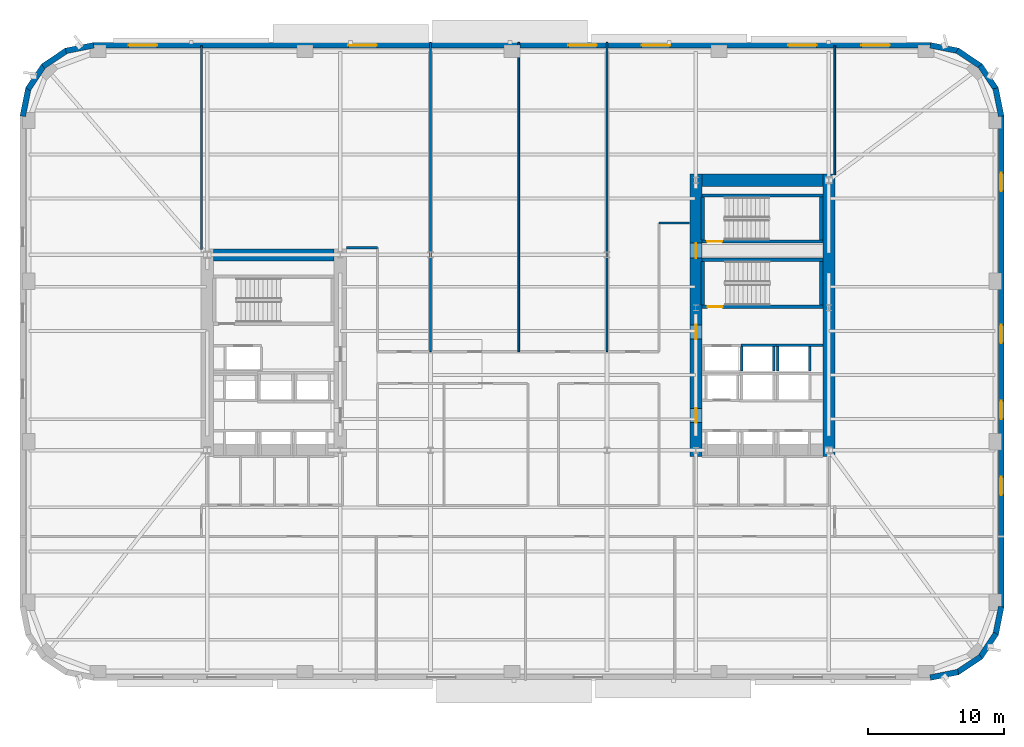
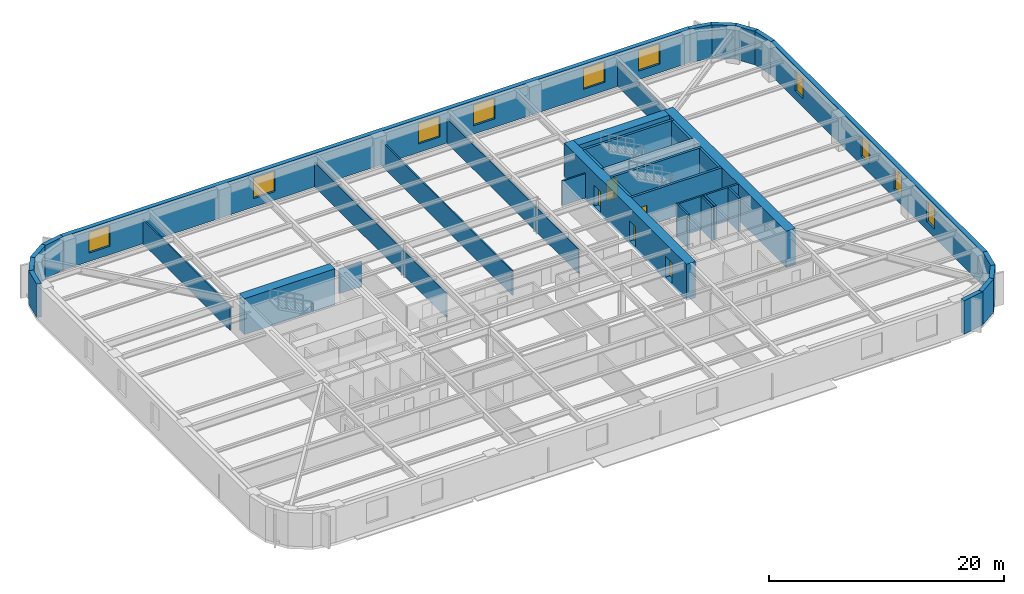
# One storey, part 7 of 15: 39 walls, 10 windows, 5 doors, 15 openings.
"""IFC4 building model written with IfcOpenShell, lengths in metres."""

from ifc_helpers import new_model, si_unit, direction, frame, frame_2d, origin, place, context, subcontext, project, spatial, rectangle, extrude, material, layer, layer_set, type_object, element, fill, save


model = new_model("IFC4")

# Units and contexts
model_context = context("Model", 3, precision=1e-05, world=origin(), true_north=direction((0.0, 1.0)))
body_context = subcontext(model_context, "Body", "Model", "MODEL_VIEW")
ifc_project = project(units=[si_unit("LENGTHUNIT", "METRE"), si_unit("AREAUNIT", "SQUARE_METRE"), si_unit("VOLUMEUNIT", "CUBIC_METRE"), si_unit("PLANEANGLEUNIT", "RADIAN"), si_unit("MASSUNIT", "GRAM", prefix="KILO")], contexts=[model_context])

# Site, building, storey
site_placement = place(None, origin())
site = spatial("IfcSite", under=ifc_project, at=site_placement, CompositionType="ELEMENT")
building_placement = place(site_placement, origin())
building = spatial("IfcBuilding", under=site, at=building_placement, Name="Kolvaren Arena Tower", CompositionType="ELEMENT")
storey_placement = place(building_placement, frame((0.0, 0.0, 83.25)))
storey = spatial("IfcBuildingStorey", under=building, at=storey_placement, Name="L18", CompositionType="ELEMENT", Elevation=83.25)

# Walls
ifc_material_1 = material(Name="Gypsum board acoustic assembly", Category="gypsum")
ifc_layer_1 = layer(ifc_material_1, 0.159912109375)
ifc_layer_set_1 = layer_set([ifc_layer_1], Name="Gypsum board acoustic assembly")
wall_type_1 = type_object("IfcWallType", Name="CORR-160", PredefinedType="PARTITIONING", material=ifc_layer_set_1)
for number, where, z_axis, x_axis, name in (
    (1, (24.820068359375, 34.3798828125, 0.0), (0.0, 0.0, 1.0), (1.0, 0.0, 0.0), "Interior Partition Wall (L18)"),
    (2, (47.820068359375, 36.199951171875, 0.0), (0.0, 0.0, 1.0), (1.0, 0.0, 0.0), "Interior Partition Wall (L18)"),
):
    element("IfcWall", number, at=place(storey_placement, frame(where, z_axis=z_axis, x_axis=x_axis)), inside=storey, type_object=wall_type_1, Name=name, PredefinedType="PARTITIONING", context=body_context, shape_type="SweptSolid", body=[
        extrude(rectangle(XDim=2.260009765625, YDim=0.159912109375, at=frame_2d((1.1298828125, 0.0))), origin(), (0.0, 0.0, 1.0), 2.5400390625),
    ])
ifc_material_2 = material(Name="Concrete 80 MPa", Category="concrete")
ifc_layer_2 = layer(ifc_material_2, 0.89990234375)
ifc_layer_set_2 = layer_set([ifc_layer_2], Name="Concrete 80 MPa")
wall_type_2 = type_object("IfcWallType", Name="CWALL-900", PredefinedType="SHEAR", material=ifc_layer_set_2)
wall_1_placement = place(storey_placement, frame((15.0, 33.85009765625, -0.27001953125), z_axis=(0.0, 0.0, 1.0), x_axis=(1.0, 0.0, 0.0)))
element("IfcWall", 3, at=wall_1_placement, inside=storey, type_object=wall_type_2, Name="Core Shear Wall WC-NORTH (L18)", PredefinedType="SHEAR", context=body_context, shape_type="SweptSolid", body=[
    extrude(rectangle(XDim=8.89990234375, YDim=0.89990234375, at=frame_2d((4.449951171875, 0.0))), origin(), (0.0, 0.0, 1.0), 3.75),
])

# Wall, openings, doors
wall_2_placement = place(storey_placement, frame((50.550048828125, 19.0, -0.27001953125), z_axis=(0.0, 0.0, 1.0), x_axis=(0.0, 1.0, 0.0)))
wall_2 = element("IfcWall", 4, at=wall_2_placement, inside=storey, type_object=wall_type_2, Name="Core Shear Wall EC-WEST (L18)", PredefinedType="SHEAR", context=body_context, shape_type="SweptSolid", body=[
    extrude(rectangle(XDim=20.800048828125, YDim=0.89990234375, at=frame_2d((10.39990234375, 0.0))), origin(), (0.0, 0.0, 1.0), 3.75),
])
opening_1_placement = place(wall_2_placement, frame((2.5, 0.0, 0.27001953125)))
opening_1 = element("IfcOpeningElement", 5, at=opening_1_placement, cuts=wall_2, Name="Opening D04", PredefinedType="OPENING", context=body_context, shape_type="SweptSolid", body=[
    extrude(rectangle(XDim=1.050048828125, YDim=2.14990234375, at=frame_2d((0.52490234375, 1.074951171875))), frame((0.0, 0.4599609375, 0.0), z_axis=(0.0, -1.0, 0.0), x_axis=(1.0, 0.0, 0.0)), (0.0, 0.0, 1.0), 0.919921875),
])
opening_2_placement = place(wall_2_placement, frame((8.64990234375, 0.0, 0.27001953125)))
opening_2 = element("IfcOpeningElement", 6, at=opening_2_placement, cuts=wall_2, Name="Opening D04", PredefinedType="OPENING", context=body_context, shape_type="SweptSolid", body=[
    extrude(rectangle(XDim=1.050048828125, YDim=2.14990234375, at=frame_2d((0.52490234375, 1.074951171875))), frame((0.0, 0.4599609375, 0.0), z_axis=(0.0, -1.0, 0.0), x_axis=(1.0, 0.0, 0.0)), (0.0, 0.0, 1.0), 0.919921875),
])
opening_3_placement = place(wall_2_placement, frame((14.6201171875, 0.0, 0.27001953125)))
opening_3 = element("IfcOpeningElement", 7, at=opening_3_placement, cuts=wall_2, Name="Opening D03", PredefinedType="OPENING", context=body_context, shape_type="SweptSolid", body=[
    extrude(rectangle(XDim=1.10009765625, YDim=2.14990234375, at=frame_2d((0.550048828125, 1.074951171875))), frame((0.0, 0.4599609375, 0.0), z_axis=(0.0, -1.0, 0.0), x_axis=(1.0, 0.0, 0.0)), (0.0, 0.0, 1.0), 0.919921875),
])
ifc_material_3 = material(Name="Fire-rated steel lobby door", Category="steel")
door_type_1 = type_object("IfcDoorType", Name="DOOR-FF-105", OperationType="NOTDEFINED", PredefinedType="DOOR", material=ifc_material_3)
door_1_placement = place(opening_1_placement, origin())
door_1 = element("IfcDoor", 8, at=door_1_placement, inside=storey, type_object=door_type_1, Name="East Lift Lobby Fire Door (L18)", OperationType="SINGLE_SWING_RIGHT", OverallHeight=2.14990234375, OverallWidth=1.050048828125, PredefinedType="DOOR", context=body_context, shape_type="SweptSolid", body=[
    extrude(rectangle(XDim=1.050048828125, YDim=2.14990234375, at=frame_2d((0.52490234375, 1.074951171875))), frame((0.0, 0.02490234375, 0.0), z_axis=(0.0, -1.0, 0.0), x_axis=(1.0, 0.0, 0.0)), (0.0, 0.0, 1.0), 0.050048828125),
])
fill(opening_1, door_1)
door_2_placement = place(opening_2_placement, origin())
door_2 = element("IfcDoor", 9, at=door_2_placement, inside=storey, type_object=door_type_1, Name="East Firefighter Vestibule Door (L18)", OperationType="SINGLE_SWING_LEFT", OverallHeight=2.14990234375, OverallWidth=1.050048828125, PredefinedType="DOOR", context=body_context, shape_type="SweptSolid", body=[
    extrude(rectangle(XDim=1.050048828125, YDim=2.14990234375, at=frame_2d((0.52490234375, 1.074951171875))), frame((0.0, 0.02490234375, 0.0), z_axis=(0.0, -1.0, 0.0), x_axis=(1.0, 0.0, 0.0)), (0.0, 0.0, 1.0), 0.050048828125),
])
fill(opening_2, door_2)
ifc_material_4 = material(Name="Fire-rated steel exit stair door", Category="steel")
door_type_2 = type_object("IfcDoorType", Name="DOOR-ST-110", OperationType="NOTDEFINED", PredefinedType="DOOR", material=ifc_material_4)
door_3_placement = place(opening_3_placement, origin())
door_3 = element("IfcDoor", 10, at=door_3_placement, inside=storey, type_object=door_type_2, Name="Stair ST-E2 Vestibule Fire Door (L18)", OperationType="SINGLE_SWING_LEFT", OverallHeight=2.14990234375, OverallWidth=1.10009765625, PredefinedType="DOOR", context=body_context, shape_type="SweptSolid", body=[
    extrude(rectangle(XDim=1.10009765625, YDim=2.14990234375, at=frame_2d((0.550048828125, 1.074951171875))), frame((0.0, 0.02490234375, 0.0), z_axis=(0.0, -1.0, 0.0), x_axis=(1.0, 0.0, 0.0)), (0.0, 0.0, 1.0), 0.050048828125),
])
fill(opening_3, door_3)

# Walls
wall_3_placement = place(storey_placement, frame((60.35009765625, 19.0, -0.27001953125), z_axis=(0.0, 0.0, 1.0), x_axis=(0.0, 1.0, 0.0)))
element("IfcWall", 11, at=wall_3_placement, inside=storey, type_object=wall_type_2, Name="Core Shear Wall EC-EAST (L18)", PredefinedType="SHEAR", context=body_context, shape_type="SweptSolid", body=[
    extrude(rectangle(XDim=20.800048828125, YDim=0.89990234375, at=frame_2d((10.39990234375, 0.0))), origin(), (0.0, 0.0, 1.0), 3.75),
])
wall_4_placement = place(storey_placement, frame((51.0, 39.35009765625, -0.27001953125), z_axis=(0.0, 0.0, 1.0), x_axis=(1.0, 0.0, 0.0)))
element("IfcWall", 12, at=wall_4_placement, inside=storey, type_object=wall_type_2, Name="Core Shear Wall EC-NORTH (L18)", PredefinedType="SHEAR", context=body_context, shape_type="SweptSolid", body=[
    extrude(rectangle(XDim=8.89990234375, YDim=0.89990234375, at=frame_2d((4.449951171875, 0.0))), origin(), (0.0, 0.0, 1.0), 3.75),
])
ifc_material_5 = material(Name="Precast concrete C50/60", Category="concrete")
ifc_layer_3 = layer(ifc_material_5, 0.419921875)
ifc_layer_set_3 = layer_set([ifc_layer_3], Name="Precast concrete C50/60")
wall_type_3 = type_object("IfcWallType", Name="EXT-PIER1", PredefinedType="SOLIDWALL", material=ifc_layer_set_3)
for number, where, z_axis, x_axis, name in (
    (13, (69.87548828125, 3.1171875, 0.0), (0.0, 0.0, 1.0), (-0.9807762837, -0.195135546048, 0.0), "Exterior Precast Masonry-Frame Wall (L18)"),
    (14, (71.5517578125, 4.256103515625, 0.0), (0.0, 0.0, 1.0), (-0.831515102434, -0.555502146192, 0.0), "Exterior Precast Masonry-Frame Wall (L18)"),
    (15, (72.664306640625, 5.9501953125, 0.0), (0.0, 0.0, 1.0), (-0.555502146192, -0.831515102434, 0.0), "Exterior Precast Masonry-Frame Wall (L18)"),
    (16, (73.0439453125, 7.94091796875, 0.0), (0.0, 0.0, 1.0), (-0.195135546048, -0.9807762837, 0.0), "Exterior Precast Masonry-Frame Wall (L18)"),
):
    element("IfcWall", number, at=place(storey_placement, frame(where, z_axis=z_axis, x_axis=x_axis)), inside=storey, type_object=wall_type_3, Name=name, PredefinedType="SOLIDWALL", context=body_context, shape_type="SweptSolid", body=[
        extrude(rectangle(XDim=2.10693359375, YDim=0.419921875, at=frame_2d((1.053466796875, 0.0))), origin(), (0.0, 0.0, 1.0), 3.47998046875),
    ])

# Wall, openings, windows
wall_5_placement = place(storey_placement, frame((73.0400390625, 44.10009765625, 0.0), z_axis=(0.0, 0.0, 1.0), x_axis=(0.0, -1.0, 0.0)))
wall_5 = element("IfcWall", 17, at=wall_5_placement, inside=storey, type_object=wall_type_3, Name="Exterior Precast Masonry-Frame Wall (L18)", PredefinedType="SOLIDWALL", context=body_context, shape_type="SweptSolid", body=[
    extrude(rectangle(XDim=36.2001953125, YDim=0.419921875, at=frame_2d((18.10009765625, 0.0))), origin(), (0.0, 0.0, 1.0), 3.47998046875),
])
opening_4_placement = place(wall_5_placement, frame((4.199951171875, 0.0, 0.8798828125)))
opening_4 = element("IfcOpeningElement", 18, at=opening_4_placement, cuts=wall_5, Name="Opening W04", PredefinedType="OPENING", context=body_context, shape_type="SweptSolid", body=[
    extrude(rectangle(XDim=1.35009765625, YDim=2.199951171875, at=frame_2d((0.675048828125, 1.10009765625))), frame((0.0, 0.219970703125, 0.0), z_axis=(0.0, -1.0, 0.0), x_axis=(1.0, 0.0, 0.0)), (0.0, 0.0, 1.0), 0.43994140625),
])
opening_5_placement = place(wall_5_placement, frame((15.39990234375, 0.0, 0.8798828125)))
opening_5 = element("IfcOpeningElement", 19, at=opening_5_placement, cuts=wall_5, Name="Opening W04", PredefinedType="OPENING", context=body_context, shape_type="SweptSolid", body=[
    extrude(rectangle(XDim=1.35009765625, YDim=2.199951171875, at=frame_2d((0.675048828125, 1.10009765625))), frame((0.0, 0.219970703125, 0.0), z_axis=(0.0, -1.0, 0.0), x_axis=(1.0, 0.0, 0.0)), (0.0, 0.0, 1.0), 0.43994140625),
])
opening_6_placement = place(wall_5_placement, frame((21.0, 0.0, 0.8798828125)))
opening_6 = element("IfcOpeningElement", 20, at=opening_6_placement, cuts=wall_5, Name="Opening W04", PredefinedType="OPENING", context=body_context, shape_type="SweptSolid", body=[
    extrude(rectangle(XDim=1.35009765625, YDim=2.199951171875, at=frame_2d((0.675048828125, 1.10009765625))), frame((0.0, 0.219970703125, 0.0), z_axis=(0.0, -1.0, 0.0), x_axis=(1.0, 0.0, 0.0)), (0.0, 0.0, 1.0), 0.43994140625),
])
opening_7_placement = place(wall_5_placement, frame((26.60009765625, 0.0, 0.8798828125)))
opening_7 = element("IfcOpeningElement", 21, at=opening_7_placement, cuts=wall_5, Name="Opening W04", PredefinedType="OPENING", context=body_context, shape_type="SweptSolid", body=[
    extrude(rectangle(XDim=1.35009765625, YDim=2.199951171875, at=frame_2d((0.675048828125, 1.10009765625))), frame((0.0, 0.219970703125, 0.0), z_axis=(0.0, -1.0, 0.0), x_axis=(1.0, 0.0, 0.0)), (0.0, 0.0, 1.0), 0.43994140625),
])
ifc_material_6 = material(Name="Triple-glazed curved-facet corner window", Category="glass")
window_type_1 = type_object("IfcWindowType", Name="WIN-CRN-A", PartitioningType="SINGLE_PANEL", PredefinedType="WINDOW", material=ifc_material_6)
window_1_placement = place(opening_4_placement, origin())
window_1 = element("IfcWindow", 22, at=window_1_placement, inside=storey, type_object=window_type_1, Name="End-Wall Punched Window (L18)", OverallHeight=2.199951171875, OverallWidth=1.35009765625, PartitioningType="SINGLE_PANEL", PredefinedType="WINDOW", context=body_context, shape_type="SweptSolid", body=[
    extrude(rectangle(XDim=1.35009765625, YDim=2.199951171875, at=frame_2d((0.675048828125, 1.10009765625))), frame((0.0, 0.030029296875, 0.0), z_axis=(0.0, -1.0, 0.0), x_axis=(1.0, 0.0, 0.0)), (0.0, 0.0, 1.0), 0.06005859375),
])
fill(opening_4, window_1)
window_2_placement = place(opening_5_placement, origin())
window_2 = element("IfcWindow", 23, at=window_2_placement, inside=storey, type_object=window_type_1, Name="End-Wall Punched Window (L18)", OverallHeight=2.199951171875, OverallWidth=1.35009765625, PartitioningType="SINGLE_PANEL", PredefinedType="WINDOW", context=body_context, shape_type="SweptSolid", body=[
    extrude(rectangle(XDim=1.35009765625, YDim=2.199951171875, at=frame_2d((0.675048828125, 1.10009765625))), frame((0.0, 0.030029296875, 0.0), z_axis=(0.0, -1.0, 0.0), x_axis=(1.0, 0.0, 0.0)), (0.0, 0.0, 1.0), 0.06005859375),
])
fill(opening_5, window_2)
window_3_placement = place(opening_6_placement, origin())
window_3 = element("IfcWindow", 24, at=window_3_placement, inside=storey, type_object=window_type_1, Name="End-Wall Punched Window (L18)", OverallHeight=2.199951171875, OverallWidth=1.35009765625, PartitioningType="SINGLE_PANEL", PredefinedType="WINDOW", context=body_context, shape_type="SweptSolid", body=[
    extrude(rectangle(XDim=1.35009765625, YDim=2.199951171875, at=frame_2d((0.675048828125, 1.10009765625))), frame((0.0, 0.030029296875, 0.0), z_axis=(0.0, -1.0, 0.0), x_axis=(1.0, 0.0, 0.0)), (0.0, 0.0, 1.0), 0.06005859375),
])
fill(opening_6, window_3)
window_4_placement = place(opening_7_placement, origin())
window_4 = element("IfcWindow", 25, at=window_4_placement, inside=storey, type_object=window_type_1, Name="End-Wall Punched Window (L18)", OverallHeight=2.199951171875, OverallWidth=1.35009765625, PartitioningType="SINGLE_PANEL", PredefinedType="WINDOW", context=body_context, shape_type="SweptSolid", body=[
    extrude(rectangle(XDim=1.35009765625, YDim=2.199951171875, at=frame_2d((0.675048828125, 1.10009765625))), frame((0.0, 0.030029296875, 0.0), z_axis=(0.0, -1.0, 0.0), x_axis=(1.0, 0.0, 0.0)), (0.0, 0.0, 1.0), 0.06005859375),
])
fill(opening_7, window_4)

# Walls
for number, where, z_axis, x_axis, name in (
    (26, (72.6328125, 46.12548828125, 0.0), (0.0, 0.0, 1.0), (0.195135546048, -0.9807762837, 0.0), "Exterior Precast Masonry-Frame Wall (L18)"),
    (27, (71.493896484375, 47.8017578125, 0.0), (0.0, 0.0, 1.0), (0.555502146192, -0.831515102434, 0.0), "Exterior Precast Masonry-Frame Wall (L18)"),
    (28, (69.7998046875, 48.914306640625, 0.0), (0.0, 0.0, 1.0), (0.831515102434, -0.555502146192, 0.0), "Exterior Precast Masonry-Frame Wall (L18)"),
    (29, (67.80908203125, 49.2939453125, 0.0), (0.0, 0.0, 1.0), (0.9807762837, -0.195135546048, 0.0), "Exterior Precast Masonry-Frame Wall (L18)"),
):
    element("IfcWall", number, at=place(storey_placement, frame(where, z_axis=z_axis, x_axis=x_axis)), inside=storey, type_object=wall_type_3, Name=name, PredefinedType="SOLIDWALL", context=body_context, shape_type="SweptSolid", body=[
        extrude(rectangle(XDim=2.10693359375, YDim=0.419921875, at=frame_2d((1.053466796875, 0.0))), origin(), (0.0, 0.0, 1.0), 3.47998046875),
    ])

# Wall, openings, windows
wall_6_placement = place(storey_placement, frame((6.14990234375, 49.2900390625, 0.0), z_axis=(0.0, 0.0, 1.0), x_axis=(1.0, 0.0, 0.0)))
wall_6 = element("IfcWall", 30, at=wall_6_placement, inside=storey, type_object=wall_type_3, Name="Exterior Precast Masonry-Frame Wall (L18)", PredefinedType="SOLIDWALL", context=body_context, shape_type="SweptSolid", body=[
    extrude(rectangle(XDim=61.7001953125, YDim=0.419921875, at=frame_2d((30.85009765625, 0.0))), origin(), (0.0, 0.0, 1.0), 3.47998046875),
])
opening_8_placement = place(wall_6_placement, frame((2.60009765625, 0.0, 0.8798828125)))
opening_8 = element("IfcOpeningElement", 31, at=opening_8_placement, cuts=wall_6, Name="Opening W01", PredefinedType="OPENING", context=body_context, shape_type="SweptSolid", body=[
    extrude(rectangle(XDim=2.10009765625, YDim=2.14990234375, at=frame_2d((1.050048828125, 1.074951171875))), frame((0.0, 0.219970703125, 0.0), z_axis=(0.0, -1.0, 0.0), x_axis=(1.0, 0.0, 0.0)), (0.0, 0.0, 1.0), 0.43994140625),
])
opening_9_placement = place(wall_6_placement, frame((18.800048828125, 0.0, 0.8798828125)))
opening_9 = element("IfcOpeningElement", 32, at=opening_9_placement, cuts=wall_6, Name="Opening W01", PredefinedType="OPENING", context=body_context, shape_type="SweptSolid", body=[
    extrude(rectangle(XDim=2.10009765625, YDim=2.14990234375, at=frame_2d((1.050048828125, 1.074951171875))), frame((0.0, 0.219970703125, 0.0), z_axis=(0.0, -1.0, 0.0), x_axis=(1.0, 0.0, 0.0)), (0.0, 0.0, 1.0), 0.43994140625),
])
opening_10_placement = place(wall_6_placement, frame((35.0, 0.0, 0.8798828125)))
opening_10 = element("IfcOpeningElement", 33, at=opening_10_placement, cuts=wall_6, Name="Opening W01", PredefinedType="OPENING", context=body_context, shape_type="SweptSolid", body=[
    extrude(rectangle(XDim=2.10009765625, YDim=2.14990234375, at=frame_2d((1.050048828125, 1.074951171875))), frame((0.0, 0.219970703125, 0.0), z_axis=(0.0, -1.0, 0.0), x_axis=(1.0, 0.0, 0.0)), (0.0, 0.0, 1.0), 0.43994140625),
])
opening_11_placement = place(wall_6_placement, frame((40.39990234375, 0.0, 0.8798828125)))
opening_11 = element("IfcOpeningElement", 34, at=opening_11_placement, cuts=wall_6, Name="Opening W01", PredefinedType="OPENING", context=body_context, shape_type="SweptSolid", body=[
    extrude(rectangle(XDim=2.10009765625, YDim=2.14990234375, at=frame_2d((1.050048828125, 1.074951171875))), frame((0.0, 0.219970703125, 0.0), z_axis=(0.0, -1.0, 0.0), x_axis=(1.0, 0.0, 0.0)), (0.0, 0.0, 1.0), 0.43994140625),
])
opening_12_placement = place(wall_6_placement, frame((51.199951171875, 0.0, 0.8798828125)))
opening_12 = element("IfcOpeningElement", 35, at=opening_12_placement, cuts=wall_6, Name="Opening W01", PredefinedType="OPENING", context=body_context, shape_type="SweptSolid", body=[
    extrude(rectangle(XDim=2.10009765625, YDim=2.14990234375, at=frame_2d((1.050048828125, 1.074951171875))), frame((0.0, 0.219970703125, 0.0), z_axis=(0.0, -1.0, 0.0), x_axis=(1.0, 0.0, 0.0)), (0.0, 0.0, 1.0), 0.43994140625),
])
opening_13_placement = place(wall_6_placement, frame((56.60009765625, 0.0, 0.8798828125)))
opening_13 = element("IfcOpeningElement", 36, at=opening_13_placement, cuts=wall_6, Name="Opening W01", PredefinedType="OPENING", context=body_context, shape_type="SweptSolid", body=[
    extrude(rectangle(XDim=2.10009765625, YDim=2.14990234375, at=frame_2d((1.050048828125, 1.074951171875))), frame((0.0, 0.219970703125, 0.0), z_axis=(0.0, -1.0, 0.0), x_axis=(1.0, 0.0, 0.0)), (0.0, 0.0, 1.0), 0.43994140625),
])
ifc_material_7 = material(Name="Triple-glazed low-E aluminium window", Category="aluminium")
window_type_2 = type_object("IfcWindowType", Name="WIN-OFF-A", PartitioningType="DOUBLE_PANEL_VERTICAL", PredefinedType="WINDOW", material=ifc_material_7)
window_5_placement = place(opening_8_placement, origin())
window_5 = element("IfcWindow", 37, at=window_5_placement, inside=storey, type_object=window_type_2, Name="Punched Precast-Pier Window (L18)", OverallHeight=2.14990234375, OverallWidth=2.10009765625, PartitioningType="DOUBLE_PANEL_VERTICAL", PredefinedType="WINDOW", context=body_context, shape_type="SweptSolid", body=[
    extrude(rectangle(XDim=2.10009765625, YDim=2.14990234375, at=frame_2d((1.050048828125, 1.074951171875))), frame((0.0, 0.030029296875, 0.0), z_axis=(0.0, -1.0, 0.0), x_axis=(1.0, 0.0, 0.0)), (0.0, 0.0, 1.0), 0.06005859375),
])
fill(opening_8, window_5)
window_6_placement = place(opening_9_placement, origin())
window_6 = element("IfcWindow", 38, at=window_6_placement, inside=storey, type_object=window_type_2, Name="Punched Precast-Pier Window (L18)", OverallHeight=2.14990234375, OverallWidth=2.10009765625, PartitioningType="DOUBLE_PANEL_VERTICAL", PredefinedType="WINDOW", context=body_context, shape_type="SweptSolid", body=[
    extrude(rectangle(XDim=2.10009765625, YDim=2.14990234375, at=frame_2d((1.050048828125, 1.074951171875))), frame((0.0, 0.030029296875, 0.0), z_axis=(0.0, -1.0, 0.0), x_axis=(1.0, 0.0, 0.0)), (0.0, 0.0, 1.0), 0.06005859375),
])
fill(opening_9, window_6)
window_7_placement = place(opening_10_placement, origin())
window_7 = element("IfcWindow", 39, at=window_7_placement, inside=storey, type_object=window_type_2, Name="Punched Precast-Pier Window (L18)", OverallHeight=2.14990234375, OverallWidth=2.10009765625, PartitioningType="DOUBLE_PANEL_VERTICAL", PredefinedType="WINDOW", context=body_context, shape_type="SweptSolid", body=[
    extrude(rectangle(XDim=2.10009765625, YDim=2.14990234375, at=frame_2d((1.050048828125, 1.074951171875))), frame((0.0, 0.030029296875, 0.0), z_axis=(0.0, -1.0, 0.0), x_axis=(1.0, 0.0, 0.0)), (0.0, 0.0, 1.0), 0.06005859375),
])
fill(opening_10, window_7)
window_8_placement = place(opening_11_placement, origin())
window_8 = element("IfcWindow", 40, at=window_8_placement, inside=storey, type_object=window_type_2, Name="Punched Precast-Pier Window (L18)", OverallHeight=2.14990234375, OverallWidth=2.10009765625, PartitioningType="DOUBLE_PANEL_VERTICAL", PredefinedType="WINDOW", context=body_context, shape_type="SweptSolid", body=[
    extrude(rectangle(XDim=2.10009765625, YDim=2.14990234375, at=frame_2d((1.050048828125, 1.074951171875))), frame((0.0, 0.030029296875, 0.0), z_axis=(0.0, -1.0, 0.0), x_axis=(1.0, 0.0, 0.0)), (0.0, 0.0, 1.0), 0.06005859375),
])
fill(opening_11, window_8)
window_9_placement = place(opening_12_placement, origin())
window_9 = element("IfcWindow", 41, at=window_9_placement, inside=storey, type_object=window_type_2, Name="Punched Precast-Pier Window (L18)", OverallHeight=2.14990234375, OverallWidth=2.10009765625, PartitioningType="DOUBLE_PANEL_VERTICAL", PredefinedType="WINDOW", context=body_context, shape_type="SweptSolid", body=[
    extrude(rectangle(XDim=2.10009765625, YDim=2.14990234375, at=frame_2d((1.050048828125, 1.074951171875))), frame((0.0, 0.030029296875, 0.0), z_axis=(0.0, -1.0, 0.0), x_axis=(1.0, 0.0, 0.0)), (0.0, 0.0, 1.0), 0.06005859375),
])
fill(opening_12, window_9)
window_10_placement = place(opening_13_placement, origin())
window_10 = element("IfcWindow", 42, at=window_10_placement, inside=storey, type_object=window_type_2, Name="Punched Precast-Pier Window (L18)", OverallHeight=2.14990234375, OverallWidth=2.10009765625, PartitioningType="DOUBLE_PANEL_VERTICAL", PredefinedType="WINDOW", context=body_context, shape_type="SweptSolid", body=[
    extrude(rectangle(XDim=2.10009765625, YDim=2.14990234375, at=frame_2d((1.050048828125, 1.074951171875))), frame((0.0, 0.030029296875, 0.0), z_axis=(0.0, -1.0, 0.0), x_axis=(1.0, 0.0, 0.0)), (0.0, 0.0, 1.0), 0.06005859375),
])
fill(opening_13, window_10)

# Walls
for number, where, z_axis, x_axis, name in (
    (43, (4.12451171875, 48.8828125, 0.0), (0.0, 0.0, 1.0), (0.9807762837, 0.195135546048, 0.0), "Exterior Precast Masonry-Frame Wall (L18)"),
    (44, (2.4482421875, 47.743896484375, 0.0), (0.0, 0.0, 1.0), (0.831515102434, 0.555502146192, 0.0), "Exterior Precast Masonry-Frame Wall (L18)"),
    (45, (1.335693359375, 46.0498046875, 0.0), (0.0, 0.0, 1.0), (0.555502146192, 0.831515102434, 0.0), "Exterior Precast Masonry-Frame Wall (L18)"),
    (46, (0.9560546875, 44.05908203125, 0.0), (0.0, 0.0, 1.0), (0.195135546048, 0.9807762837, 0.0), "Exterior Precast Masonry-Frame Wall (L18)"),
):
    element("IfcWall", number, at=place(storey_placement, frame(where, z_axis=z_axis, x_axis=x_axis)), inside=storey, type_object=wall_type_3, Name=name, PredefinedType="SOLIDWALL", context=body_context, shape_type="SweptSolid", body=[
        extrude(rectangle(XDim=2.10693359375, YDim=0.419921875, at=frame_2d((1.053466796875, 0.0))), origin(), (0.0, 0.0, 1.0), 3.47998046875),
    ])
ifc_material_8 = material(Name="Gypsum board partition assembly", Category="gypsum")
ifc_layer_4 = layer(ifc_material_8, 0.135009765625)
ifc_layer_set_4 = layer_set([ifc_layer_4], Name="Gypsum board partition assembly")
wall_type_4 = type_object("IfcWallType", Name="PART-135", PredefinedType="PARTITIONING", material=ifc_layer_set_4)
for number, where, z_axis, x_axis, name in (
    (47, (31.0, 26.719970703125, 0.0), (0.0, 0.0, 1.0), (0.0, 1.0, 0.0), "Interior Partition Wall (L18)"),
    (48, (37.5, 26.719970703125, 0.0), (0.0, 0.0, 1.0), (0.0, 1.0, 0.0), "Interior Partition Wall (L18)"),
    (49, (44.0, 26.719970703125, 0.0), (0.0, 0.0, 1.0), (0.0, 1.0, 0.0), "Interior Partition Wall (L18)"),
):
    element("IfcWall", number, at=place(storey_placement, frame(where, z_axis=z_axis, x_axis=x_axis)), inside=storey, type_object=wall_type_4, Name=name, PredefinedType="PARTITIONING", context=body_context, shape_type="SweptSolid", body=[
        extrude(rectangle(XDim=22.780029296875, YDim=0.135009765625, at=frame_2d((11.39013671875, 0.0))), origin(), (0.0, 0.0, 1.0), 2.5400390625),
    ])
wall_7_placement = place(storey_placement, frame((14.1201171875, 34.25, 0.0), z_axis=(0.0, 0.0, 1.0), x_axis=(0.0, 1.0, 0.0)))
element("IfcWall", 50, at=wall_7_placement, inside=storey, type_object=wall_type_4, Name="Interior Partition Wall (L18)", PredefinedType="PARTITIONING", context=body_context, shape_type="SweptSolid", body=[
    extrude(rectangle(XDim=15.010009765625, YDim=0.135009765625, at=frame_2d((7.5048828125, 0.0))), origin(), (0.0, 0.0, 1.0), 2.5400390625),
])
wall_8_placement = place(storey_placement, frame((60.780029296875, 39.75, 0.0), z_axis=(0.0, 0.0, 1.0), x_axis=(0.0, 1.0, 0.0)))
element("IfcWall", 51, at=wall_8_placement, inside=storey, type_object=wall_type_4, Name="Interior Partition Wall (L18)", PredefinedType="PARTITIONING", context=body_context, shape_type="SweptSolid", body=[
    extrude(rectangle(XDim=9.510009765625, YDim=0.135009765625, at=frame_2d((4.7548828125, 0.0))), origin(), (0.0, 0.0, 1.0), 2.5400390625),
])

# Wall, opening, door
ifc_material_9 = material(Name="Concrete 45 MPa", Category="concrete")
ifc_layer_5 = layer(ifc_material_9, 0.25)
ifc_layer_set_5 = layer_set([ifc_layer_5], Name="Concrete 45 MPa")
wall_type_5 = type_object("IfcWallType", Name="SHAFT-250", PredefinedType="SOLIDWALL", material=ifc_layer_set_5)
wall_9_placement = place(storey_placement, frame((59.89990234375, 30.030029296875, 0.0), z_axis=(0.0, 0.0, 1.0), x_axis=(-1.0, 0.0, 0.0)))
wall_9 = element("IfcWall", 52, at=wall_9_placement, inside=storey, type_object=wall_type_5, Name="Core Shaft Wall (L18)", PredefinedType="SOLIDWALL", context=body_context, shape_type="SweptSolid", body=[
    extrude(rectangle(XDim=8.89990234375, YDim=0.239990234375, at=frame_2d((4.449951171875, 0.0))), origin(), (0.0, 0.0, 1.0), 3.47998046875),
])
opening_14_placement = place(wall_9_placement, frame((7.3798828125, 0.0, 0.0)))
opening_14 = element("IfcOpeningElement", 53, at=opening_14_placement, cuts=wall_9, Name="Opening D03", PredefinedType="OPENING", context=body_context, shape_type="SweptSolid", body=[
    extrude(rectangle(XDim=1.10009765625, YDim=2.14990234375, at=frame_2d((0.550048828125, 1.074951171875))), frame((0.0, 0.1298828125, 0.0), z_axis=(0.0, -1.0, 0.0), x_axis=(1.0, 0.0, 0.0)), (0.0, 0.0, 1.0), 0.260009765625),
])
door_4_placement = place(opening_14_placement, origin())
door_4 = element("IfcDoor", 54, at=door_4_placement, inside=storey, type_object=door_type_2, Name="Stair ST-E1 Fire Door (L18)", OperationType="SINGLE_SWING_LEFT", OverallHeight=2.14990234375, OverallWidth=1.10009765625, PredefinedType="DOOR", context=body_context, shape_type="SweptSolid", body=[
    extrude(rectangle(XDim=1.10009765625, YDim=2.14990234375, at=frame_2d((0.550048828125, 1.074951171875))), frame((0.0, 0.02490234375, 0.0), z_axis=(0.0, -1.0, 0.0), x_axis=(1.0, 0.0, 0.0)), (0.0, 0.0, 1.0), 0.050048828125),
])
fill(opening_14, door_4)

# Walls
wall_10_placement = place(storey_placement, frame((51.0, 33.5, 0.0), z_axis=(0.0, 0.0, 1.0), x_axis=(1.0, 0.0, 0.0)))
element("IfcWall", 55, at=wall_10_placement, inside=storey, type_object=wall_type_5, Name="Core Shaft Wall (L18)", PredefinedType="SOLIDWALL", context=body_context, shape_type="SweptSolid", body=[
    extrude(rectangle(XDim=8.89990234375, YDim=0.239990234375, at=frame_2d((4.449951171875, 0.0))), origin(), (0.0, 0.0, 1.0), 3.47998046875),
])
for number, where, z_axis, x_axis, name in (
    (56, (51.06005859375, 30.14990234375, 0.0), (0.0, 0.0, 1.0), (0.0, 1.0, 0.0), "Core Shaft Wall (L18)"),
    (57, (59.780029296875, 30.14990234375, 0.0), (0.0, 0.0, 1.0), (0.0, 1.0, 0.0), "Core Shaft Wall (L18)"),
):
    element("IfcWall", number, at=place(storey_placement, frame(where, z_axis=z_axis, x_axis=x_axis)), inside=storey, type_object=wall_type_5, Name=name, PredefinedType="SOLIDWALL", context=body_context, shape_type="SweptSolid", body=[
        extrude(rectangle(XDim=3.22998046875, YDim=0.239990234375, at=frame_2d((1.614990234375, 0.0))), origin(), (0.0, 0.0, 1.0), 3.47998046875),
    ])

# Wall, opening, door
wall_11_placement = place(storey_placement, frame((59.89990234375, 34.830078125, 0.0), z_axis=(0.0, 0.0, 1.0), x_axis=(-1.0, 0.0, 0.0)))
wall_11 = element("IfcWall", 58, at=wall_11_placement, inside=storey, type_object=wall_type_5, Name="Core Shaft Wall (L18)", PredefinedType="SOLIDWALL", context=body_context, shape_type="SweptSolid", body=[
    extrude(rectangle(XDim=8.89990234375, YDim=0.239990234375, at=frame_2d((4.449951171875, 0.0))), origin(), (0.0, 0.0, 1.0), 3.47998046875),
])
opening_15_placement = place(wall_11_placement, frame((7.419921875, 0.0, 0.0)))
opening_15 = element("IfcOpeningElement", 59, at=opening_15_placement, cuts=wall_11, Name="Opening D03", PredefinedType="OPENING", context=body_context, shape_type="SweptSolid", body=[
    extrude(rectangle(XDim=1.10009765625, YDim=2.14990234375, at=frame_2d((0.550048828125, 1.074951171875))), frame((0.0, 0.1298828125, 0.0), z_axis=(0.0, -1.0, 0.0), x_axis=(1.0, 0.0, 0.0)), (0.0, 0.0, 1.0), 0.260009765625),
])
door_5_placement = place(opening_15_placement, origin())
door_5 = element("IfcDoor", 60, at=door_5_placement, inside=storey, type_object=door_type_2, Name="Stair ST-E2 Fire Door (L18)", OperationType="SINGLE_SWING_LEFT", OverallHeight=2.14990234375, OverallWidth=1.10009765625, PredefinedType="DOOR", context=body_context, shape_type="SweptSolid", body=[
    extrude(rectangle(XDim=1.10009765625, YDim=2.14990234375, at=frame_2d((0.550048828125, 1.074951171875))), frame((0.0, 0.02490234375, 0.0), z_axis=(0.0, -1.0, 0.0), x_axis=(1.0, 0.0, 0.0)), (0.0, 0.0, 1.0), 0.050048828125),
])
fill(opening_15, door_5)

# Walls
wall_12_placement = place(storey_placement, frame((51.0, 38.219970703125, 0.0), z_axis=(0.0, 0.0, 1.0), x_axis=(1.0, 0.0, 0.0)))
element("IfcWall", 61, at=wall_12_placement, inside=storey, type_object=wall_type_5, Name="Core Shaft Wall (L18)", PredefinedType="SOLIDWALL", context=body_context, shape_type="SweptSolid", body=[
    extrude(rectangle(XDim=8.89990234375, YDim=0.239990234375, at=frame_2d((4.449951171875, 0.0))), origin(), (0.0, 0.0, 1.0), 3.47998046875),
])
for number, where, z_axis, x_axis, name in (
    (62, (51.06005859375, 34.949951171875, 0.0), (0.0, 0.0, 1.0), (0.0, 1.0, 0.0), "Core Shaft Wall (L18)"),
    (63, (59.780029296875, 34.949951171875, 0.0), (0.0, 0.0, 1.0), (0.0, 1.0, 0.0), "Core Shaft Wall (L18)"),
):
    element("IfcWall", number, at=place(storey_placement, frame(where, z_axis=z_axis, x_axis=x_axis)), inside=storey, type_object=wall_type_5, Name=name, PredefinedType="SOLIDWALL", context=body_context, shape_type="SweptSolid", body=[
        extrude(rectangle(XDim=3.150146484375, YDim=0.239990234375, at=frame_2d((1.5751953125, 0.0))), origin(), (0.0, 0.0, 1.0), 3.47998046875),
    ])
wall_13_placement = place(storey_placement, frame((53.864990234375, 27.205078125, 0.0), z_axis=(0.0, 0.0, 1.0), x_axis=(1.0, 0.0, 0.0)))
element("IfcWall", 64, at=wall_13_placement, inside=storey, type_object=wall_type_5, Name="Core Shaft Wall (L18)", PredefinedType="SOLIDWALL", context=body_context, shape_type="SweptSolid", body=[
    extrude(rectangle(XDim=2.574951171875, YDim=0.179931640625, at=frame_2d((1.28759765625, 0.0))), origin(), (0.0, 0.0, 1.0), 3.47998046875),
])
for number, where, z_axis, x_axis, name in (
    (65, (53.93994140625, 25.284912109375, 0.0), (0.0, 0.0, 1.0), (0.0, 1.0, 0.0), "Core Shaft Wall (L18)"),
    (66, (56.300048828125, 25.284912109375, 0.0), (0.0, 0.0, 1.0), (0.0, 1.0, 0.0), "Core Shaft Wall (L18)"),
):
    element("IfcWall", number, at=place(storey_placement, frame(where, z_axis=z_axis, x_axis=x_axis)), inside=storey, type_object=wall_type_5, Name=name, PredefinedType="SOLIDWALL", context=body_context, shape_type="SweptSolid", body=[
        extrude(rectangle(XDim=1.830078125, YDim=0.179931640625, at=frame_2d((0.9150390625, 0.0))), origin(), (0.0, 0.0, 1.0), 3.47998046875),
    ])
wall_14_placement = place(storey_placement, frame((56.43994140625, 27.205078125, 0.0), z_axis=(0.0, 0.0, 1.0), x_axis=(1.0, 0.0, 0.0)))
element("IfcWall", 67, at=wall_14_placement, inside=storey, type_object=wall_type_5, Name="Core Shaft Wall (L18)", PredefinedType="SOLIDWALL", context=body_context, shape_type="SweptSolid", body=[
    extrude(rectangle(XDim=3.4599609375, YDim=0.179931640625, at=frame_2d((1.72998046875, 0.0))), origin(), (0.0, 0.0, 1.0), 3.47998046875),
])
for number, where, z_axis, x_axis, name in (
    (68, (56.580078125, 25.284912109375, 0.0), (0.0, 0.0, 1.0), (0.0, 1.0, 0.0), "Core Shaft Wall (L18)"),
    (69, (58.93994140625, 25.284912109375, 0.0), (0.0, 0.0, 1.0), (0.0, 1.0, 0.0), "Core Shaft Wall (L18)"),
):
    element("IfcWall", number, at=place(storey_placement, frame(where, z_axis=z_axis, x_axis=x_axis)), inside=storey, type_object=wall_type_5, Name=name, PredefinedType="SOLIDWALL", context=body_context, shape_type="SweptSolid", body=[
        extrude(rectangle(XDim=1.830078125, YDim=0.179931640625, at=frame_2d((0.9150390625, 0.0))), origin(), (0.0, 0.0, 1.0), 3.47998046875),
    ])

save(model, "model.ifc")
